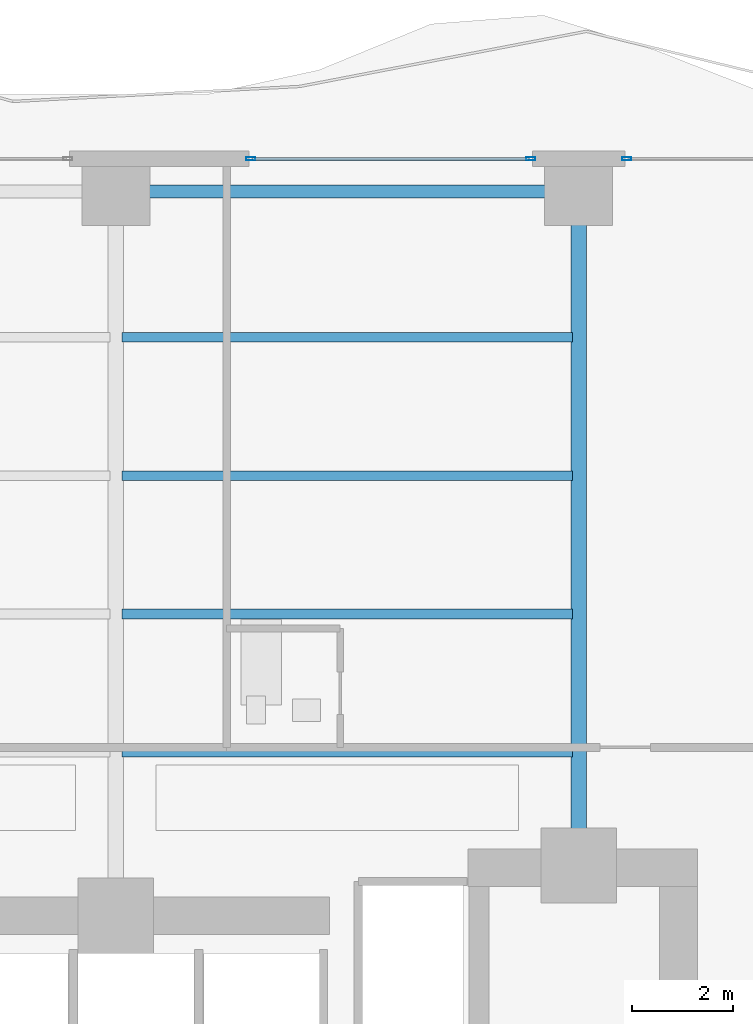
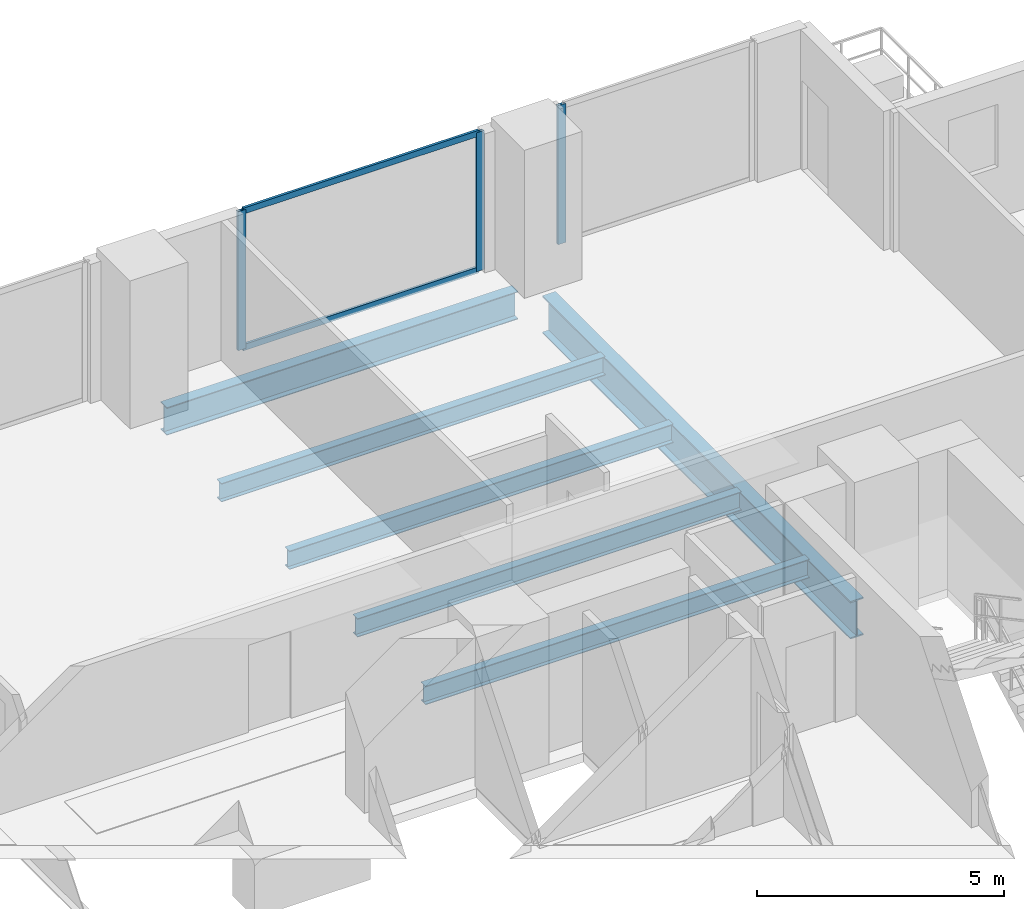
# One storey, part 18 of 28: 6 beams, 5 members, 2 elements without a shape of their own.
"""IFC4 building model written with IfcOpenShell, lengths in metres."""

from ifc_helpers import new_model, si_unit, direction, frame, origin, origin_2d, place, context, subcontext, project, spatial, hollow_rectangle, i_section, extrude, material, layer, layer_set, material_profile, profile_set, type_object, element, aggregate, save


model = new_model("IFC4")

# Units and contexts
model_context = context("Model", 3, precision=1e-05, world=origin(), true_north=direction((0.0, 1.0)))
body_context = subcontext(model_context, "Body", "Model", "MODEL_VIEW")
ifc_project = project(units=[si_unit("LENGTHUNIT", "METRE"), si_unit("AREAUNIT", "SQUARE_METRE"), si_unit("VOLUMEUNIT", "CUBIC_METRE"), si_unit("PLANEANGLEUNIT", "RADIAN"), si_unit("MASSUNIT", "GRAM", prefix="KILO")], contexts=[model_context])

# Site, building, storey
site_placement = place(None, origin())
site = spatial("IfcSite", under=ifc_project, at=site_placement, CompositionType="ELEMENT")
building_placement = place(site_placement, origin())
building = spatial("IfcBuilding", under=site, at=building_placement, Name="Zuhayl Quay Hotel", CompositionType="ELEMENT")
storey_placement = place(building_placement, frame((0.0, 0.0, 143.10009765625)))
storey = spatial("IfcBuildingStorey", under=building, at=storey_placement, Name="L36", CompositionType="ELEMENT", Elevation=143.10009765625)

# Beams
ifc_material_1 = material(Name="Steel ASTM A992 Grade 50", Category="steel")
ifc_material_profile_1 = material_profile(ifc_material_1, i_section(OverallWidth=0.25390625, OverallDepth=0.68310546875, WebThickness=0.012451171875, FlangeThickness=0.018798828125, at=origin_2d()), Name="W27X94")
ifc_profile_set_1 = profile_set([ifc_material_profile_1], Name="Steel ASTM A992 Grade 50")
beam_type_1 = type_object("IfcBeamType", Name="BM_B2_W27X94", PredefinedType="BEAM", material=ifc_profile_set_1)
beam_1_placement = place(storey_placement, frame((13.300048828125, 27.75, -0.5615234375), z_axis=(-1.0, 0.0, 0.0), x_axis=(0.0, -1.0, 0.0)))
element("IfcBeam", 1, at=beam_1_placement, inside=storey, type_object=beam_type_1, Name="L36 Floor Beam RG_L36_07", PredefinedType="BEAM", context=body_context, shape_type="SweptSolid", body=[
    extrude(i_section(OverallWidth=0.25390625, OverallDepth=0.68310546875, WebThickness=0.012451171875, FlangeThickness=0.018798828125, at=origin_2d()), origin(), (0.0, 0.0, 1.0), 8.199951171875),
])
ifc_material_profile_2 = material_profile(ifc_material_1, i_section(OverallWidth=0.18994140625, OverallDepth=0.45703125, WebThickness=0.009033203125, FlangeThickness=0.014404296875, at=origin_2d()), Name="W18X50")
ifc_profile_set_2 = profile_set([ifc_material_profile_2], Name="Steel ASTM A992 Grade 50")
beam_type_2 = type_object("IfcBeamType", Name="BM_J2_W18X50", PredefinedType="JOIST", material=ifc_profile_set_2)
for number, where, z_axis, x_axis, name in (
    (2, (4.718994140625, 16.60009765625, -0.448486328125), (1.0, 0.0, 0.0), (0.0, 1.0, 0.0), "L36 Floor Beam FJ_L36_1_3"),
    (3, (4.718994140625, 19.35009765625, -0.448486328125), (1.0, 0.0, 0.0), (0.0, 1.0, 0.0), "L36 Floor Beam FJ_L36_2_3"),
    (4, (4.718994140625, 22.10009765625, -0.448486328125), (1.0, 0.0, 0.0), (0.0, 1.0, 0.0), "L36 Floor Beam FJ_L36_3_3"),
    (5, (4.718994140625, 24.85009765625, -0.448486328125), (1.0, 0.0, 0.0), (0.0, 1.0, 0.0), "L36 Floor Beam FJ_L36_4_3"),
):
    element("IfcBeam", number, at=place(storey_placement, frame(where, z_axis=z_axis, x_axis=x_axis)), inside=storey, type_object=beam_type_2, Name=name, PredefinedType="JOIST", context=body_context, shape_type="SweptSolid", body=[
        extrude(i_section(OverallWidth=0.18994140625, OverallDepth=0.45703125, WebThickness=0.009033203125, FlangeThickness=0.014404296875, at=origin_2d()), origin(), (0.0, 0.0, 1.0), 8.9619140625),
    ])
ifc_material_profile_3 = material_profile(ifc_material_1, i_section(OverallWidth=0.306884765625, OverallDepth=0.927001953125, WebThickness=0.019287109375, FlangeThickness=0.031982421875, at=origin_2d()), Name="W36X194")
ifc_profile_set_3 = profile_set([ifc_material_profile_3], Name="Steel ASTM A992 Grade 50")
beam_type_3 = type_object("IfcBeamType", Name="BM_PG2_W36X194", PredefinedType="BEAM", material=ifc_profile_set_3)
beam_2_placement = place(storey_placement, frame((13.800048828125, 14.800048828125, -0.68359375), z_axis=(0.0, 1.0, 0.0), x_axis=(-1.0, 0.0, 0.0)))
element("IfcBeam", 6, at=beam_2_placement, inside=storey, type_object=beam_type_3, Name="L36 Floor Beam FG_N_L36_4", PredefinedType="BEAM", context=body_context, shape_type="SweptSolid", body=[
    extrude(i_section(OverallWidth=0.306884765625, OverallDepth=0.927001953125, WebThickness=0.019287109375, FlangeThickness=0.031982421875, at=origin_2d()), origin(), (0.0, 0.0, 1.0), 12.449951171875),
])

# Curtain wall, members
ifc_material_2 = material(Name="Anodised Aluminium 6063-T6", Category="aluminium")
ifc_layer = layer(ifc_material_2, 0.179931640625, Name="Anodised Aluminium 6063-T6", Category="aluminium")
ifc_layer_set = layer_set([ifc_layer], Name="Anodised Aluminium 6063-T6")
curtain_wall_type = type_object("IfcCurtainWallType", Name="CW_SYS_Z2", PredefinedType="USERDEFINED", material=ifc_layer_set)
curtain_wall_1_placement = place(storey_placement, origin())
curtain_wall_1 = element("IfcCurtainWall", 7, at=curtain_wall_1_placement, inside=storey, type_object=curtain_wall_type, Name="L36 Curtain Wall ENV_L36_N_CW5", ObjectType="UNITISED CURTAIN WALL", PredefinedType="USERDEFINED")
ifc_material_3 = material(Name="Black-anodised aluminium 6063-T6", Category="aluminium")
ifc_material_profile_4 = material_profile(ifc_material_3, hollow_rectangle(XDim=0.06494140625, YDim=0.179931640625, WallThickness=0.00341796875, at=origin_2d()), Name="ALU180X65")
ifc_profile_set_4 = profile_set([ifc_material_profile_4], Name="Black-anodised aluminium 6063-T6")
member_type_1 = type_object("IfcMemberType", Name="MB_CW_MUL_180", PredefinedType="MULLION", material=ifc_profile_set_4)
member_1_placement = place(storey_placement, frame((7.282470703125, 28.39990234375, 0.0), z_axis=(0.0, 0.0, 1.0), x_axis=(0.0, 1.0, 0.0)))
member_1 = element("IfcMember", 8, at=member_1_placement, type_object=member_type_1, Name="CW-Z2 mullion 1", PredefinedType="MULLION", context=body_context, shape_type="SweptSolid", body=[
    extrude(hollow_rectangle(XDim=0.06494140625, YDim=0.179931640625, WallThickness=0.00341796875, at=origin_2d()), origin(), (0.0, 0.0, 1.0), 3.429931640625),
])
member_2_placement = place(storey_placement, frame((12.847412109375, 28.39990234375, 0.0), z_axis=(0.0, 0.0, 1.0), x_axis=(0.0, 1.0, 0.0)))
member_2 = element("IfcMember", 9, at=member_2_placement, type_object=member_type_1, Name="CW-Z2 mullion 2", PredefinedType="MULLION", context=body_context, shape_type="SweptSolid", body=[
    extrude(hollow_rectangle(XDim=0.06494140625, YDim=0.179931640625, WallThickness=0.00341796875, at=origin_2d()), origin(), (0.0, 0.0, 1.0), 3.429931640625),
])

# Curtain wall, member
curtain_wall_2_placement = place(storey_placement, origin())
curtain_wall_2 = element("IfcCurtainWall", 10, at=curtain_wall_2_placement, inside=storey, type_object=curtain_wall_type, Name="L36 Curtain Wall ENV_L36_N_CW6", ObjectType="UNITISED CURTAIN WALL", PredefinedType="USERDEFINED")
member_3_placement = place(storey_placement, frame((14.75244140625, 28.39990234375, 0.0), z_axis=(0.0, 0.0, 1.0), x_axis=(0.0, 1.0, 0.0)))
member_3 = element("IfcMember", 11, at=member_3_placement, type_object=member_type_1, Name="CW-Z2 mullion 1", PredefinedType="MULLION", context=body_context, shape_type="SweptSolid", body=[
    extrude(hollow_rectangle(XDim=0.06494140625, YDim=0.179931640625, WallThickness=0.00341796875, at=origin_2d()), origin(), (0.0, 0.0, 1.0), 3.429931640625),
])
aggregate(curtain_wall_2, [member_3])

# Member
ifc_material_profile_5 = material_profile(ifc_material_3, hollow_rectangle(XDim=0.06005859375, YDim=0.14990234375, WallThickness=0.00341796875, at=origin_2d()), Name="ALU150X60")
ifc_profile_set_5 = profile_set([ifc_material_profile_5], Name="Black-anodised aluminium 6063-T6")
member_type_2 = type_object("IfcMemberType", Name="MB_CW_TRN_150", PredefinedType="USERDEFINED", material=ifc_profile_set_5)
member_4_placement = place(storey_placement, frame((7.31494140625, 28.39990234375, 0.02978515625), z_axis=(1.0, 0.0, 0.0), x_axis=(0.0, 1.0, 0.0)))
member_4 = element("IfcMember", 12, at=member_4_placement, type_object=member_type_2, Name="CW-Z2 transom 1.1", ObjectType="TRANSOM", PredefinedType="USERDEFINED", context=body_context, shape_type="SweptSolid", body=[
    extrude(hollow_rectangle(XDim=0.06005859375, YDim=0.14990234375, WallThickness=0.00341796875, at=origin_2d()), origin(), (0.0, 0.0, 1.0), 5.5),
])

member_5_placement = place(storey_placement, frame((7.31494140625, 28.39990234375, 3.39990234375), z_axis=(1.0, 0.0, 0.0), x_axis=(0.0, 1.0, 0.0)))
member_5 = element("IfcMember", 13, at=member_5_placement, type_object=member_type_2, Name="CW-Z2 transom 1.2", ObjectType="TRANSOM", PredefinedType="USERDEFINED", context=body_context, shape_type="SweptSolid", body=[
    extrude(hollow_rectangle(XDim=0.06005859375, YDim=0.14990234375, WallThickness=0.00341796875, at=origin_2d()), origin(), (0.0, 0.0, 1.0), 5.5),
])

aggregate(curtain_wall_1, [member_1, member_2, member_4, member_5])

save(model, "model.ifc")
